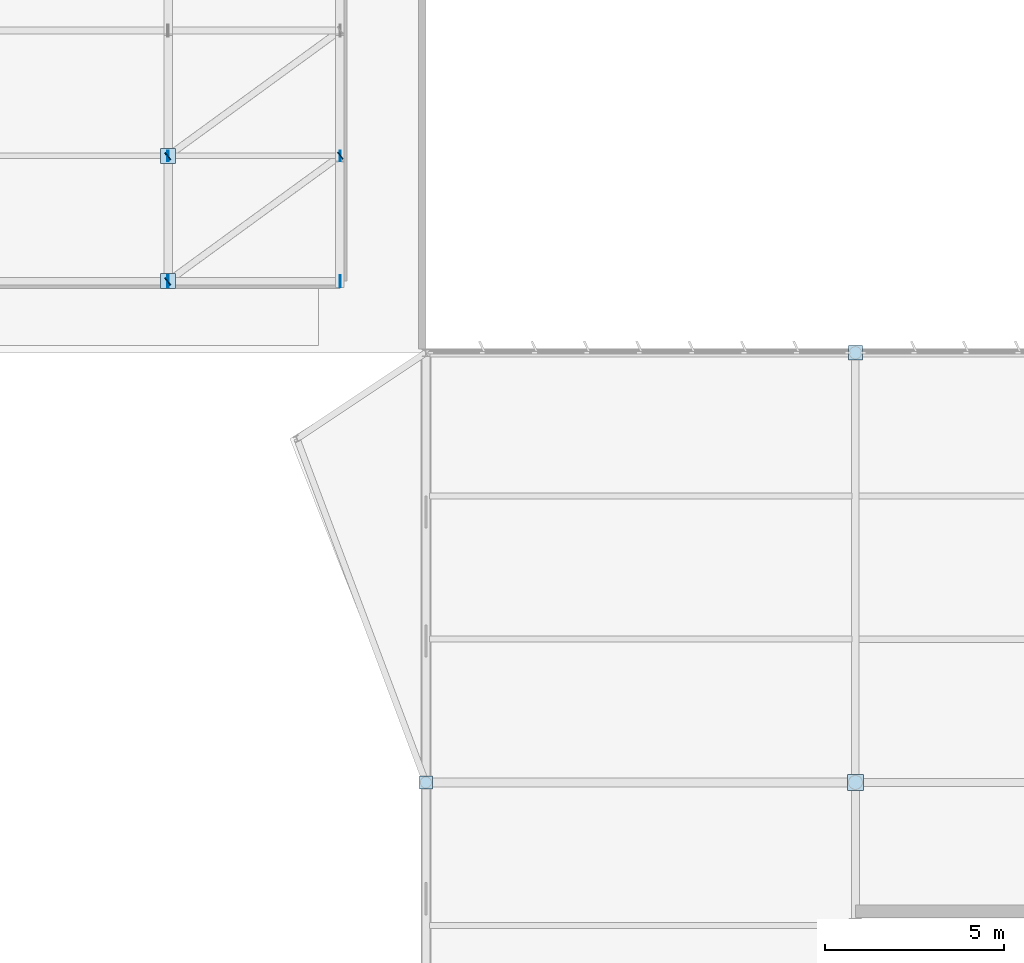
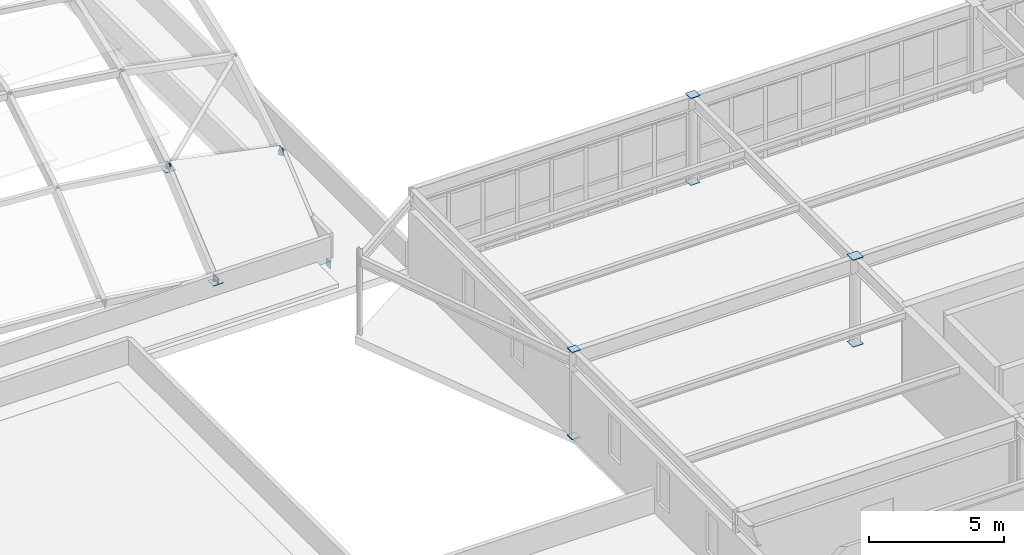
# One storey, part 96 of 128: 17 plates.
"""IFC4 building model written with IfcOpenShell, lengths in metres."""

from ifc_helpers import new_model, si_unit, direction, frame, origin, origin_2d, place, context, subcontext, project, spatial, rectangle, extrude, material, layer, layer_set, type_object, element, save


model = new_model("IFC4")

# Units and contexts
model_context = context("Model", 3, precision=1e-05, world=origin(), true_north=direction((0.0, 1.0)))
body_context = subcontext(model_context, "Body", "Model", "MODEL_VIEW")
ifc_project = project(units=[si_unit("LENGTHUNIT", "METRE"), si_unit("AREAUNIT", "SQUARE_METRE"), si_unit("VOLUMEUNIT", "CUBIC_METRE"), si_unit("PLANEANGLEUNIT", "RADIAN"), si_unit("MASSUNIT", "GRAM", prefix="KILO")], contexts=[model_context])

# Site, building, storey
site_placement = place(None, origin())
site = spatial("IfcSite", under=ifc_project, at=site_placement, CompositionType="ELEMENT")
building_placement = place(site_placement, origin())
building = spatial("IfcBuilding", under=site, at=building_placement, Name="Tarnwether General Hospital", CompositionType="ELEMENT")
storey_placement = place(building_placement, frame((0.0, 0.0, 14.39990234375)))
storey = spatial("IfcBuildingStorey", under=building, at=storey_placement, Name="L03", CompositionType="ELEMENT", Elevation=14.39990234375)

# Plates
ifc_material = material(Name="Steel Grade 350 (350 MPa)", Category="steel")
ifc_layer = layer(ifc_material, 0.02490234375)
ifc_layer_set = layer_set([ifc_layer], Name="Steel Grade 350 (350 MPa)")
plate_type = type_object("IfcPlateType", Name="PT-GUS2", PredefinedType="USERDEFINED", material=ifc_layer_set)
for number, where, z_axis, x_axis, name in (
    (1, (136.800048828125, 47.60009765625, 0.96728515625), (0.0, 0.0, 1.0), (1.0, 0.0, 0.0), "Gridshell Star Gusset Node 052"),
    (2, (136.800048828125, 51.10009765625, 3.942138671875), (0.0, 0.0, 1.0), (1.0, 0.0, 0.0), "Gridshell Star Gusset Node 053"),
):
    element("IfcPlate", number, at=place(storey_placement, frame(where, z_axis=z_axis, x_axis=x_axis)), inside=storey, type_object=plate_type, Name=name, ObjectType="GUSSET", PredefinedType="USERDEFINED", context=body_context, shape_type="SweptSolid", body=[
        extrude(rectangle(XDim=0.419921875, YDim=0.419921875, at=origin_2d()), origin(), (0.0, 0.0, 1.0), 0.02490234375),
    ])
for number, where, z_axis, x_axis, name in (
    (3, (144.0, 33.60009765625, -0.02490234375), (0.0, 0.0, 1.0), (1.0, 0.0, 0.0), "Hollow Section Welded End Cap Plate 0279"),
    (4, (144.0, 33.60009765625, 3.900146484375), (0.0, 0.0, 1.0), (1.0, 0.0, 0.0), "Hollow Section Welded End Cap Plate 0280"),
):
    element("IfcPlate", number, at=place(storey_placement, frame(where, z_axis=z_axis, x_axis=x_axis)), inside=storey, type_object=plate_type, Name=name, ObjectType="GUSSET", PredefinedType="USERDEFINED", context=body_context, shape_type="SweptSolid", body=[
        extrude(rectangle(XDim=0.364013671875, YDim=0.364013671875, at=origin_2d()), origin(), (0.0, 0.0, 1.0), 0.02490234375),
    ])
for number, where, z_axis, x_axis, name in (
    (5, (156.0, 33.60009765625, -0.02490234375), (0.0, 0.0, 1.0), (1.0, 0.0, 0.0), "Hollow Section Welded End Cap Plate 0317"),
    (6, (156.0, 33.60009765625, 3.900146484375), (0.0, 0.0, 1.0), (1.0, 0.0, 0.0), "Hollow Section Welded End Cap Plate 0318"),
):
    element("IfcPlate", number, at=place(storey_placement, frame(where, z_axis=z_axis, x_axis=x_axis)), inside=storey, type_object=plate_type, Name=name, ObjectType="GUSSET", PredefinedType="USERDEFINED", context=body_context, shape_type="SweptSolid", body=[
        extrude(rectangle(XDim=0.446044921875, YDim=0.446044921875, at=origin_2d()), origin(), (0.0, 0.0, 1.0), 0.02490234375),
    ])
for number, where, z_axis, x_axis, name in (
    (7, (156.0, 45.60009765625, -0.02490234375), (0.0, 0.0, 1.0), (1.0, 0.0, 0.0), "Hollow Section Welded End Cap Plate 0321"),
    (8, (156.0, 45.60009765625, 3.900146484375), (0.0, 0.0, 1.0), (1.0, 0.0, 0.0), "Hollow Section Welded End Cap Plate 0322"),
):
    element("IfcPlate", number, at=place(storey_placement, frame(where, z_axis=z_axis, x_axis=x_axis)), inside=storey, type_object=plate_type, Name=name, ObjectType="GUSSET", PredefinedType="USERDEFINED", context=body_context, shape_type="SweptSolid", body=[
        extrude(rectangle(XDim=0.39599609375, YDim=0.39599609375, at=origin_2d()), origin(), (0.0, 0.0, 1.0), 0.02490234375),
    ])
for number, where, z_axis, x_axis, name in (
    (9, (136.8125, 47.60009765625, 0.91796875), (0.0, 0.0, 1.0), (1.0, 0.0, 0.0), "Hollow Section Welded End Cap Plate 1254"),
    (10, (136.787841796875, 47.60009765625, 0.92236328125), (0.0, 0.0, 1.0), (1.0, 0.0, 0.0), "Hollow Section Welded End Cap Plate 1255"),
    (11, (141.6123046875, 47.60009765625, -0.0625), (0.0, 0.0, 1.0), (1.0, 0.0, 0.0), "Hollow Section Welded End Cap Plate 1256"),
):
    element("IfcPlate", number, at=place(storey_placement, frame(where, z_axis=z_axis, x_axis=x_axis)), inside=storey, type_object=plate_type, Name=name, ObjectType="GUSSET", PredefinedType="USERDEFINED", context=body_context, shape_type="SweptSolid", body=[
        extrude(rectangle(XDim=0.02490234375, YDim=0.340087890625, at=origin_2d()), origin(), (0.0, 0.0, 1.0), 0.340087890625),
    ])
for number, where, z_axis, x_axis, name in (
    (12, (136.8125, 51.10009765625, 3.94287109375), (0.0, 0.0, 1.0), (1.0, 0.0, 0.0), "Hollow Section Welded End Cap Plate 1268"),
    (13, (136.787841796875, 51.10009765625, 3.947265625), (0.0, 0.0, 1.0), (1.0, 0.0, 0.0), "Hollow Section Welded End Cap Plate 1269"),
    (14, (141.6123046875, 51.10009765625, 2.962646484375), (0.0, 0.0, 1.0), (1.0, 0.0, 0.0), "Hollow Section Welded End Cap Plate 1270"),
):
    element("IfcPlate", number, at=place(storey_placement, frame(where, z_axis=z_axis, x_axis=x_axis)), inside=storey, type_object=plate_type, Name=name, ObjectType="GUSSET", PredefinedType="USERDEFINED", context=body_context, shape_type="SweptSolid", body=[
        extrude(rectangle(XDim=0.02490234375, YDim=0.2900390625, at=origin_2d()), origin(), (0.0, 0.0, 1.0), 0.2900390625),
    ])
for number, where, z_axis, x_axis, name in (
    (15, (136.790283203125, 47.593017578125, 0.858642578125), (0.0, 0.0, 1.0), (0.808010450239, 0.589168152827, 0.0), "Hollow Section Welded End Cap Plate 1377"),
    (16, (141.609619140625, 51.10693359375, 2.862060546875), (0.0, 0.0, 1.0), (0.808010450239, 0.589168152827, 0.0), "Hollow Section Welded End Cap Plate 1378"),
    (17, (136.7900390625, 51.0927734375, 3.83544921875), (0.0, 0.0, 1.0), (0.808010450239, 0.589168152827, 0.0), "Hollow Section Welded End Cap Plate 1379"),
):
    element("IfcPlate", number, at=place(storey_placement, frame(where, z_axis=z_axis, x_axis=x_axis)), inside=storey, type_object=plate_type, Name=name, ObjectType="GUSSET", PredefinedType="USERDEFINED", context=body_context, shape_type="SweptSolid", body=[
        extrude(rectangle(XDim=0.02490234375, YDim=0.23388671875, at=origin_2d()), origin(), (0.0, 0.0, 1.0), 0.23388671875),
    ])

save(model, "model.ifc")
